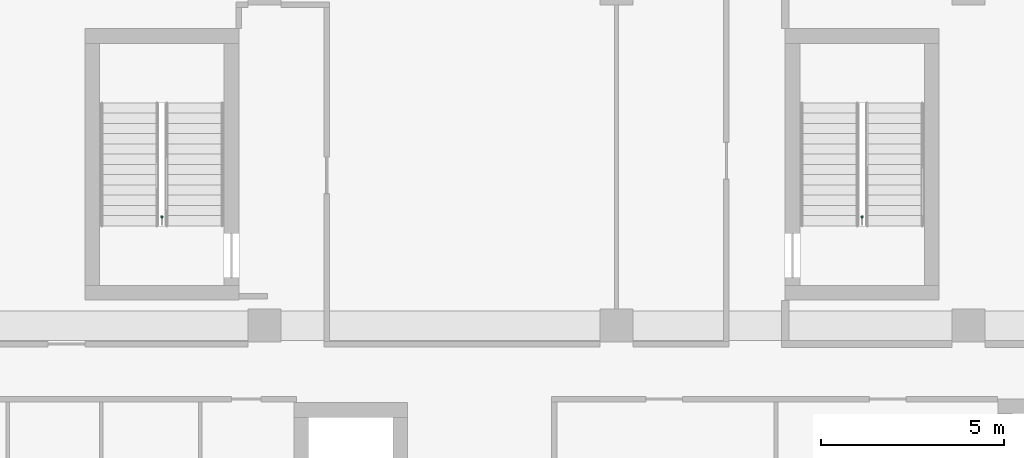
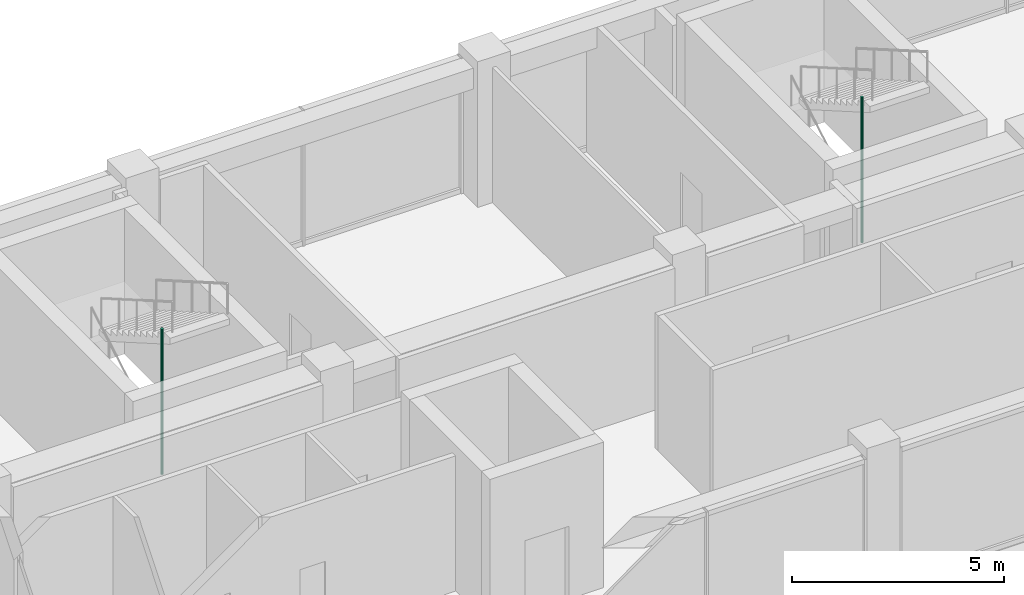
# One storey, part 34 of 36: 2 pipe segments.
"""IFC4 building model written with IfcOpenShell, lengths in metres."""

from ifc_helpers import new_model, si_unit, direction, frame, origin, origin_2d, place, context, subcontext, project, spatial, circle, extrude, element, save


model = new_model("IFC4")

# Units and contexts
model_context = context("Model", 3, precision=1e-05, world=origin(), true_north=direction((0.0, 1.0)))
body_context = subcontext(model_context, "Body", "Model", "MODEL_VIEW")
ifc_project = project(units=[si_unit("LENGTHUNIT", "METRE"), si_unit("AREAUNIT", "SQUARE_METRE"), si_unit("VOLUMEUNIT", "CUBIC_METRE"), si_unit("PLANEANGLEUNIT", "RADIAN"), si_unit("MASSUNIT", "GRAM", prefix="KILO")], contexts=[model_context])

# Site, building, storey
site_placement = place(None, origin())
site = spatial("IfcSite", under=ifc_project, at=site_placement, CompositionType="ELEMENT")
building_placement = place(site_placement, origin())
building = spatial("IfcBuilding", under=site, at=building_placement, Name="Nzadi Deep Aquarium and Research Tower", CompositionType="ELEMENT")
storey_placement = place(building_placement, frame((0.0, 0.0, 44.5)))
storey = spatial("IfcBuildingStorey", under=building, at=storey_placement, Name="L08", CompositionType="ELEMENT", Elevation=44.5)

# Pipe segments
for number, where, z_axis, x_axis, name in (
    (1, (6.800048828125, 39.77001953125, 0.0), (0.0, 0.0, 1.0), (1.0, 0.0, 0.0), "Dry riser ST-Z1-NW L08"),
    (2, (25.89990234375, 39.77001953125, 0.0), (0.0, 0.0, 1.0), (1.0, 0.0, 0.0), "Dry riser ST-Z1-NE L08"),
):
    element("IfcPipeSegment", number, at=place(storey_placement, frame(where, z_axis=z_axis, x_axis=x_axis)), inside=storey, Name=name, PredefinedType="RIGIDSEGMENT", context=body_context, shape_type="SweptSolid", body=[
        extrude(circle(Radius=0.034912109375, at=origin_2d()), origin(), (0.0, 0.0, 1.0), 4.199951171875),
    ])

save(model, "model.ifc")
